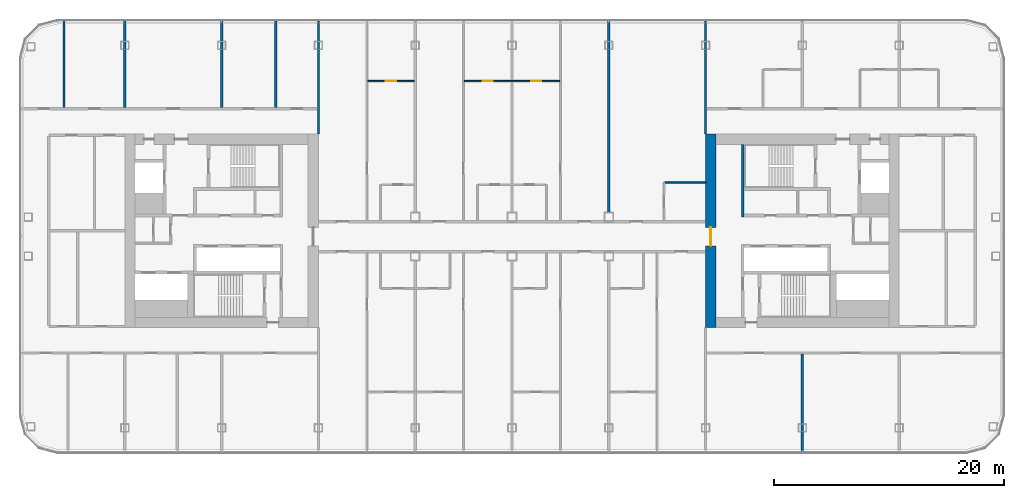
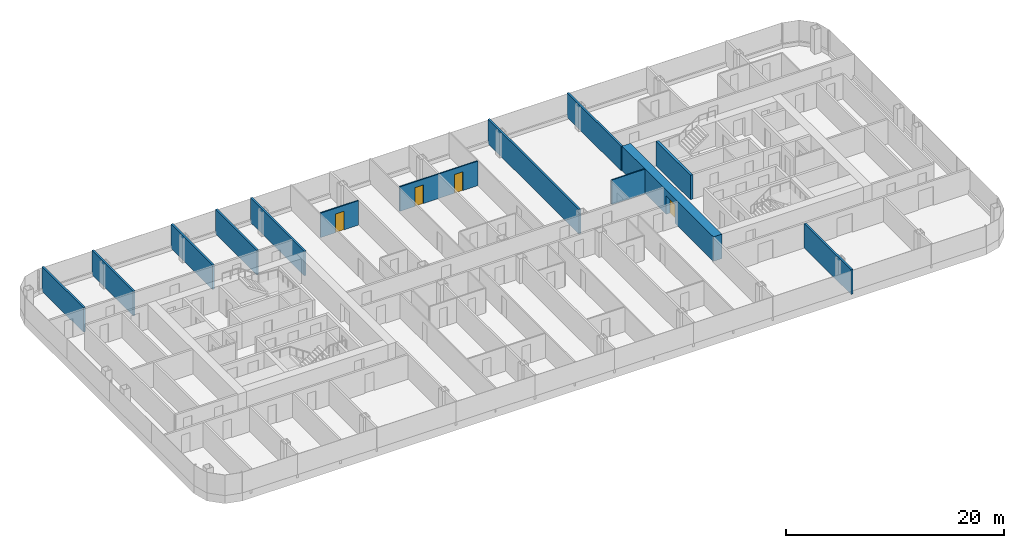
# One storey, part 15 of 26: 13 walls, 4 doors, 4 openings.
"""IFC4 building model written with IfcOpenShell, lengths in metres."""

import ifcopenshell
import ifcopenshell.guid

model = None  # the IFC model being written
_history = None  # IfcOwnerHistory: only IFC2X3 demands one
_inside = {}  # id of a spatial element -> (the spatial element, [elements in it])
_under = {}  # id of a project, library or spatial element -> (it, [spatial elements below it])
_declared = {}  # id of a project -> (the project, [libraries it declares])
_typed = {}  # id of a type object -> (the type object, [elements of that type])
_made_of = {}  # id of a material, layer set ... -> (it, [elements and type objects made of it])


def new_model(schema):
    """Start an empty IFC model of exactly this schema.

    Asked for "IFC4X3", IfcOpenShell would pick the latest addendum, in which some entities
    have other attributes; the version numbers below select the first issue.
    IFC2X3 requires an IfcOwnerHistory on every rooted entity: one is made here for all.
    """
    global model, _history
    if schema == "IFC4X3":
        model = ifcopenshell.file(schema_version=(4, 3, 0, 0))
    else:
        model = ifcopenshell.file(schema=schema)
    _inside.clear()
    _under.clear()
    _declared.clear()
    _typed.clear()
    _made_of.clear()
    _history = None
    if model.schema == "IFC2X3":
        org = make("IfcOrganization", Name="unknown")
        user = make(
            "IfcPersonAndOrganization",
            ThePerson=make("IfcPerson", FamilyName="unknown"),
            TheOrganization=org,
        )
        app = make(
            "IfcApplication",
            ApplicationDeveloper=org,
            Version="unknown",
            ApplicationFullName="unknown",
            ApplicationIdentifier="unknown",
        )
        _history = make(
            "IfcOwnerHistory",
            OwningUser=user,
            OwningApplication=app,
            ChangeAction="ADDED",
            CreationDate=0,
        )
    return model


def make(cls, **values):
    """One entity of the class cls with the attributes given. An attribute that is None is left unset."""
    return model.create_entity(
        cls, **{name: value for name, value in values.items() if value is not None}
    )


def rooted(cls, **values):
    """An entity with a GlobalId (a new one), such as an element, a storey or a relation."""
    return make(cls, GlobalId=ifcopenshell.guid.new(), OwnerHistory=_history, **values)


def si_unit(unit_type, name, prefix=None):
    """IfcSIUnit, for example si_unit("LENGTHUNIT", "METRE", prefix="MILLI")."""
    return make("IfcSIUnit", UnitType=unit_type, Prefix=prefix, Name=name)


def assignment(units):
    """IfcUnitAssignment: the units of a project."""
    return None if units is None else make("IfcUnitAssignment", Units=units)


def point(xyz):
    """IfcCartesianPoint."""
    return None if xyz is None else make("IfcCartesianPoint", Coordinates=xyz)


def direction(xyz):
    """IfcDirection."""
    return None if xyz is None else make("IfcDirection", DirectionRatios=xyz)


def frame(location, z_axis=None, x_axis=None):
    """IfcAxis2Placement3D, a coordinate frame: its origin and axes. An axis left out is left unset."""
    return make(
        "IfcAxis2Placement3D",
        Location=point(location),
        Axis=direction(z_axis),
        RefDirection=direction(x_axis),
    )


def frame_2d(location, x_axis=None):
    """IfcAxis2Placement2D, a coordinate frame in the plane: its origin and x axis."""
    return make(
        "IfcAxis2Placement2D", Location=point(location), RefDirection=direction(x_axis)
    )


def origin():
    """The frame at (0, 0, 0) with its axes left unset."""
    return frame((0.0, 0.0, 0.0))


def place(relative_to, where):
    """IfcLocalPlacement: puts the frame where relative to a parent placement (None: the world)."""
    return make(
        "IfcLocalPlacement", PlacementRelTo=relative_to, RelativePlacement=where
    )


def context(
    kind, dimensions, precision=None, world=None, true_north=None, identifier=None
):
    """IfcGeometricRepresentationContext, for example the 3D "Model" context."""
    return make(
        "IfcGeometricRepresentationContext",
        ContextIdentifier=identifier,
        ContextType=kind,
        CoordinateSpaceDimension=dimensions,
        Precision=precision,
        WorldCoordinateSystem=world,
        TrueNorth=true_north,
    )


def subcontext(parent, identifier, kind, view, scale=None):
    """IfcGeometricRepresentationSubContext, for example "Body" below "Model"."""
    return make(
        "IfcGeometricRepresentationSubContext",
        ContextIdentifier=identifier,
        ContextType=kind,
        ParentContext=parent,
        TargetScale=scale,
        TargetView=view,
    )


def project(units=None, contexts=None):
    """IfcProject with its units and contexts."""
    return rooted(
        "IfcProject",
        Name="project",
        RepresentationContexts=contexts,
        UnitsInContext=assignment(units),
    )


def spatial(cls, under=None, at=None, **own):
    """A site, building, storey or space (cls), placed at a placement, below another one or the project."""
    s = rooted(cls, ObjectPlacement=at, **own)
    if under is not None:
        _under.setdefault(under.id(), (under, []))[1].append(s)
    return s


def profile(cls, at=None, kind="AREA", **sizes):
    """A parametric profile (cls). Its sizes go by their IFC names, for example OverallWidth=200.0."""
    return make(cls, ProfileType=kind, Position=at, **sizes)


def rectangle(**sizes):
    """IfcRectangleProfileDef."""
    return profile("IfcRectangleProfileDef", **sizes)


def extrude(swept, where, along, depth):
    """IfcExtrudedAreaSolid: the profile swept, set in the frame where, extruded along a direction by depth."""
    return make(
        "IfcExtrudedAreaSolid",
        SweptArea=swept,
        Position=where,
        ExtrudedDirection=direction(along),
        Depth=depth,
    )


def shape(context_of_items, identifier, shape_type, items):
    """IfcShapeRepresentation: the items that make up one representation, for example the "Body"."""
    return make(
        "IfcShapeRepresentation",
        ContextOfItems=context_of_items,
        RepresentationIdentifier=identifier,
        RepresentationType=shape_type,
        Items=items,
    )


def material(Name=None, Category=None):
    """IfcMaterial."""
    return make("IfcMaterial", Name=Name, Category=Category)


def layer(
    of_material, thickness, ventilated=None, Name=None, Category=None, Priority=None
):
    """IfcMaterialLayer: one layer of a wall or slab, of a material (None: an air gap)."""
    return make(
        "IfcMaterialLayer",
        Material=of_material,
        LayerThickness=thickness,
        IsVentilated=ventilated,
        Name=Name,
        Category=Category,
        Priority=Priority,
    )


def layer_set(layers, Name=None):
    """IfcMaterialLayerSet."""
    return make("IfcMaterialLayerSet", MaterialLayers=layers, LayerSetName=Name)


def made_of(thing, what):
    """Note that an element or type object is made of a material, layer set ...; save() writes the relation."""
    if what is not None:
        _made_of.setdefault(what.id(), (what, []))[1].append(thing)
    return thing


def type_object(cls, material=None, **own):
    """A type object (cls), such as IfcWallType, which elements share."""
    return made_of(rooted(cls, **own), material)


def element(
    cls,
    number,
    at=None,
    inside=None,
    cuts=None,
    type_object=None,
    material=None,
    context=None,
    identifier="Body",
    shape_type=None,
    held_by="IfcProductDefinitionShape",
    body=None,
    shapes=None,
    **own,
):
    """One element of the class cls, such as IfcWall. Its Tag is "e" and its number.

    at: its placement. inside: the storey or other place that contains it. cuts: it is an
    opening in that element (IfcRelVoidsElement). A single representation is given by context,
    identifier, shape_type and body (its items); several are given by shapes. held_by: the class
    of the entity that holds the representations. save() writes the other relations.
    """
    e = rooted(cls, Tag="e%d" % number, ObjectPlacement=at, **own)
    if body is not None:
        shapes = [shape(context, identifier, shape_type, body)]
    if shapes is not None:
        e.Representation = make(held_by, Representations=shapes)
    if inside is not None:
        _inside.setdefault(inside.id(), (inside, []))[1].append(e)
    if cuts is not None:
        rooted(
            "IfcRelVoidsElement", RelatingBuildingElement=cuts, RelatedOpeningElement=e
        )
    if type_object is not None:
        _typed.setdefault(type_object.id(), (type_object, []))[1].append(e)
    return made_of(e, material)


def fill(opening, filler):
    """IfcRelFillsElement: the door or window that sits in an opening."""
    return rooted(
        "IfcRelFillsElement",
        RelatingOpeningElement=opening,
        RelatedBuildingElement=filler,
    )


def aggregate(whole, parts):
    """IfcRelAggregates: a whole, such as a stair, and the parts it consists of."""
    return rooted("IfcRelAggregates", RelatingObject=whole, RelatedObjects=parts)


def save(model, path):
    """Write the relations noted so far, then the file.

    IfcRelAggregates (storeys below a building ...), IfcRelContainedInSpatialStructure (elements
    in a storey), IfcRelDefinesByType, IfcRelAssociatesMaterial and IfcRelDeclares: one each for
    every whole, place, type object, material and project.
    """
    for whole, parts in _under.values():
        aggregate(whole, parts)
    for where, things in _inside.values():
        rooted(
            "IfcRelContainedInSpatialStructure",
            RelatedElements=things,
            RelatingStructure=where,
        )
    for kind, things in _typed.values():
        rooted("IfcRelDefinesByType", RelatedObjects=things, RelatingType=kind)
    for what, things in _made_of.values():
        rooted("IfcRelAssociatesMaterial", RelatedObjects=things, RelatingMaterial=what)
    for by, libraries in _declared.values():
        rooted("IfcRelDeclares", RelatingContext=by, RelatedDefinitions=libraries)
    model.write(path)


model = new_model("IFC4")

# Units and contexts
model_context = context("Model", 3, precision=1e-05, world=origin(), true_north=direction((0.0, 1.0)))
body_context = subcontext(model_context, "Body", "Model", "MODEL_VIEW")
ifc_project = project(units=[si_unit("LENGTHUNIT", "METRE"), si_unit("AREAUNIT", "SQUARE_METRE"), si_unit("VOLUMEUNIT", "CUBIC_METRE"), si_unit("PLANEANGLEUNIT", "RADIAN"), si_unit("MASSUNIT", "GRAM", prefix="KILO")], contexts=[model_context])

# Site, building, storey
site_placement = place(None, origin())
site = spatial("IfcSite", under=ifc_project, at=site_placement, CompositionType="ELEMENT")
building_placement = place(site_placement, origin())
building = spatial("IfcBuilding", under=site, at=building_placement, Name="Hakoniwa Tower and Hamabe Station Hall", CompositionType="ELEMENT")
storey_placement = place(building_placement, frame((0.0, 0.0, 159.800048828125)))
storey = spatial("IfcBuildingStorey", under=building, at=storey_placement, Name="L45", CompositionType="ELEMENT", Elevation=159.800048828125)

# Wall
ifc_material_1 = material(Name="Gypsum board partition", Category="gypsum")
ifc_layer_1 = layer(ifc_material_1, 0.125)
ifc_layer_set_1 = layer_set([ifc_layer_1], Name="Bathroom Partition 125")
wall_type_1 = type_object("IfcWallType", Name="Bathroom Partition 125", PredefinedType="PARTITIONING", material=ifc_layer_set_1)
wall_1_placement = place(storey_placement, frame((13.262451171875, 4.199951171875, 0.0), z_axis=(0.0, 0.0, 1.0), x_axis=(1.0, 0.0, 0.0)))
element("IfcWall", 1, at=wall_1_placement, inside=storey, type_object=wall_type_1, Name="GW-L45-017", PredefinedType="PARTITIONING", context=body_context, shape_type="SweptSolid", body=[
    extrude(rectangle(XDim=3.547607421875, YDim=0.125, at=frame_2d((1.77392578125, 0.0))), origin(), (0.0, 0.0, 1.0), 2.75),
])

# Wall, opening, door
ifc_material_2 = material(Name="Concrete C66", Category="concrete")
ifc_layer_2 = layer(ifc_material_2, 0.89990234375)
ifc_layer_set_2 = layer_set([ifc_layer_2], Name="CORE WALL 900 C66")
wall_type_2 = type_object("IfcWallType", Name="CORE WALL 900 C66", PredefinedType="SHEAR", material=ifc_layer_set_2)
wall_2_placement = place(storey_placement, frame((17.25, -8.39990234375, 0.0), z_axis=(0.0, 0.0, 1.0), x_axis=(0.0, 1.0, 0.0)))
wall_2 = element("IfcWall", 2, at=wall_2_placement, inside=storey, type_object=wall_type_2, Name="Core wall INNER east", PredefinedType="SHEAR", context=body_context, shape_type="SweptSolid", body=[
    extrude(rectangle(XDim=16.7998046875, YDim=0.89990234375, at=frame_2d((8.39990234375, 0.0))), origin(), (0.0, 0.0, 1.0), 2.75),
])
opening_1_placement = place(wall_2_placement, frame((7.10009765625, 0.0, 0.0)))
opening_1 = element("IfcOpeningElement", 3, at=opening_1_placement, cuts=wall_2, Name="Opening CD-E-IN1-16", PredefinedType="OPENING", context=body_context, shape_type="SweptSolid", body=[
    extrude(rectangle(XDim=1.60009765625, YDim=2.10009765625, at=frame_2d((0.800048828125, 1.050048828125))), frame((0.0, 0.4599609375, 0.0), z_axis=(0.0, -1.0, 0.0), x_axis=(1.0, 0.0, 0.0)), (0.0, 0.0, 1.0), 0.919921875),
])
ifc_material_3 = material(Name="Steel fire door", Category="steel")
door_type_1 = type_object("IfcDoorType", Name="CORE DOOR 1600 FD60", OperationType="DOUBLE_DOOR_SINGLE_SWING", PredefinedType="DOOR", material=ifc_material_3)
door_1_placement = place(opening_1_placement, origin())
door_1 = element("IfcDoor", 4, at=door_1_placement, inside=storey, type_object=door_type_1, Name="Lift lobby door", OperationType="DOUBLE_DOOR_SINGLE_SWING", OverallHeight=2.10009765625, OverallWidth=1.60009765625, PredefinedType="DOOR", context=body_context, shape_type="SweptSolid", body=[
    extrude(rectangle(XDim=1.60009765625, YDim=2.10009765625, at=frame_2d((0.800048828125, 1.050048828125))), frame((0.0, 0.02490234375, 0.0), z_axis=(0.0, -1.0, 0.0), x_axis=(1.0, 0.0, 0.0)), (0.0, 0.0, 1.0), 0.050048828125),
])
fill(opening_1, door_1)

# Walls
ifc_material_4 = material(Name="Concrete C66", Category="concrete")
ifc_layer_3 = layer(ifc_material_4, 0.25)
ifc_layer_set_3 = layer_set([ifc_layer_3], Name="CORE WEB WALL 250 C66")
wall_type_3 = type_object("IfcWallType", Name="CORE WEB WALL 250 C66", PredefinedType="SHEAR", material=ifc_layer_set_3)
wall_3_placement = place(storey_placement, frame((20.02490234375, 1.199951171875, 0.0), z_axis=(0.0, 0.0, 1.0), x_axis=(0.0, 1.0, 0.0)))
element("IfcWall", 5, at=wall_3_placement, inside=storey, type_object=wall_type_3, Name="Core wall W1N east", PredefinedType="SHEAR", context=body_context, shape_type="SweptSolid", body=[
    extrude(rectangle(XDim=6.300048828125, YDim=0.25, at=frame_2d((3.14990234375, 0.0))), origin(), (0.0, 0.0, 1.0), 2.75),
])
ifc_material_5 = material(Name="Fire-rated gypsum board partition", Category="gypsum")
ifc_layer_4 = layer(ifc_material_5, 0.199951171875)
ifc_layer_set_4 = layer_set([ifc_layer_4], Name="Party Wall 200")
wall_type_4 = type_object("IfcWallType", Name="Party Wall 200", PredefinedType="PARTITIONING", material=ifc_layer_set_4)
for number, where, z_axis, x_axis, name in (
    (6, (-38.8798828125, 10.699951171875, 0.0), (0.0, 0.0, 1.0), (0.0, 1.0, 0.0), "GW-L45-027"),
    (7, (-33.60009765625, 10.699951171875, 0.0), (0.0, 0.0, 1.0), (0.0, 1.0, 0.0), "GW-L45-032"),
    (8, (-25.199951171875, 10.699951171875, 0.0), (0.0, 0.0, 1.0), (0.0, 1.0, 0.0), "GW-L45-035"),
    (9, (-20.5, 10.699951171875, 0.0), (0.0, 0.0, 1.0), (0.0, 1.0, 0.0), "GW-L45-036"),
):
    element("IfcWall", number, at=place(storey_placement, frame(where, z_axis=z_axis, x_axis=x_axis)), inside=storey, type_object=wall_type_4, Name=name, PredefinedType="PARTITIONING", context=body_context, shape_type="SweptSolid", body=[
        extrude(rectangle(XDim=7.60009765625, YDim=0.199951171875, at=frame_2d((3.800048828125, 0.0))), origin(), (0.0, 0.0, 1.0), 2.75),
    ])
wall_4_placement = place(storey_placement, frame((-16.800048828125, 8.389892578125, 0.0), z_axis=(0.0, 0.0, 1.0), x_axis=(0.0, 1.0, 0.0)))
element("IfcWall", 10, at=wall_4_placement, inside=storey, type_object=wall_type_4, Name="GW-L45-038", PredefinedType="PARTITIONING", context=body_context, shape_type="SweptSolid", body=[
    extrude(rectangle(XDim=9.91015625, YDim=0.199951171875, at=frame_2d((4.955078125, 0.0))), origin(), (0.0, 0.0, 1.0), 2.75),
])
wall_5_placement = place(storey_placement, frame((8.39990234375, 1.590087890625, 0.0), z_axis=(0.0, 0.0, 1.0), x_axis=(0.0, 1.0, 0.0)))
element("IfcWall", 11, at=wall_5_placement, inside=storey, type_object=wall_type_4, Name="GW-L45-056", PredefinedType="PARTITIONING", context=body_context, shape_type="SweptSolid", body=[
    extrude(rectangle(XDim=16.7099609375, YDim=0.199951171875, at=frame_2d((8.35498046875, 0.0))), origin(), (0.0, 0.0, 1.0), 2.75),
])
wall_6_placement = place(storey_placement, frame((16.800048828125, 8.389892578125, 0.0), z_axis=(0.0, 0.0, 1.0), x_axis=(0.0, 1.0, 0.0)))
element("IfcWall", 12, at=wall_6_placement, inside=storey, type_object=wall_type_4, Name="GW-L45-061", PredefinedType="PARTITIONING", context=body_context, shape_type="SweptSolid", body=[
    extrude(rectangle(XDim=9.91015625, YDim=0.199951171875, at=frame_2d((4.955078125, 0.0))), origin(), (0.0, 0.0, 1.0), 2.75),
])
wall_7_placement = place(storey_placement, frame((25.199951171875, -19.300048828125, 0.0), z_axis=(0.0, 0.0, 1.0), x_axis=(0.0, 1.0, 0.0)))
element("IfcWall", 13, at=wall_7_placement, inside=storey, type_object=wall_type_4, Name="GW-L45-063", PredefinedType="PARTITIONING", context=body_context, shape_type="SweptSolid", body=[
    extrude(rectangle(XDim=8.60009765625, YDim=0.199951171875, at=frame_2d((4.300048828125, 0.0))), origin(), (0.0, 0.0, 1.0), 2.75),
])

# Wall, opening, door
ifc_material_6 = material(Name="Gypsum board partition", Category="gypsum")
ifc_layer_5 = layer(ifc_material_6, 0.125)
ifc_layer_set_5 = layer_set([ifc_layer_5], Name="Room Partition 125")
wall_type_5 = type_object("IfcWallType", Name="Room Partition 125", PredefinedType="PARTITIONING", material=ifc_layer_set_5)
wall_8_placement = place(storey_placement, frame((-12.53759765625, 13.0, 0.0), z_axis=(0.0, 0.0, 1.0), x_axis=(1.0, 0.0, 0.0)))
wall_8 = element("IfcWall", 14, at=wall_8_placement, inside=storey, type_object=wall_type_5, Name="GW-L45-022", PredefinedType="PARTITIONING", context=body_context, shape_type="SweptSolid", body=[
    extrude(rectangle(XDim=4.03759765625, YDim=0.125, at=frame_2d((2.018798828125, 0.0))), origin(), (0.0, 0.0, 1.0), 2.75),
])
opening_2_placement = place(wall_8_placement, frame((1.58740234375, 0.0, 0.0)))
opening_2 = element("IfcOpeningElement", 15, at=opening_2_placement, cuts=wall_8, Name="Opening GD-G3E1-44", PredefinedType="OPENING", context=body_context, shape_type="SweptSolid", body=[
    extrude(rectangle(XDim=0.89990234375, YDim=2.10009765625, at=frame_2d((0.449951171875, 1.050048828125))), frame((0.0, 0.072509765625, 0.0), z_axis=(0.0, -1.0, 0.0), x_axis=(1.0, 0.0, 0.0)), (0.0, 0.0, 1.0), 0.14501953125),
])
ifc_material_7 = material(Name="Timber door leaf", Category="wood")
door_type_2 = type_object("IfcDoorType", Name="Suite Interior Door 900", OperationType="SINGLE_SWING_LEFT", PredefinedType="DOOR", material=ifc_material_7)
door_2_placement = place(opening_2_placement, origin())
door_2 = element("IfcDoor", 16, at=door_2_placement, inside=storey, type_object=door_type_2, Name="Door GD-G3E1-44", OperationType="SINGLE_SWING_RIGHT", OverallHeight=2.10009765625, OverallWidth=0.89990234375, PredefinedType="DOOR", context=body_context, shape_type="SweptSolid", body=[
    extrude(rectangle(XDim=0.89990234375, YDim=2.10009765625, at=frame_2d((0.449951171875, 1.050048828125))), frame((0.0, 0.02490234375, 0.0), z_axis=(0.0, -1.0, 0.0), x_axis=(1.0, 0.0, 0.0)), (0.0, 0.0, 1.0), 0.050048828125),
])
fill(opening_2, door_2)

# Wall, openings, doors
wall_9_placement = place(storey_placement, frame((-4.137451171875, 13.0, 0.0), z_axis=(0.0, 0.0, 1.0), x_axis=(1.0, 0.0, 0.0)))
wall_9 = element("IfcWall", 17, at=wall_9_placement, inside=storey, type_object=wall_type_5, Name="GW-L45-023", PredefinedType="PARTITIONING", context=body_context, shape_type="SweptSolid", body=[
    extrude(rectangle(XDim=8.27490234375, YDim=0.125, at=frame_2d((4.137451171875, 0.0))), origin(), (0.0, 0.0, 1.0), 2.75),
])
opening_3_placement = place(wall_9_placement, frame((1.58740234375, 0.0, 0.0)))
opening_3 = element("IfcOpeningElement", 18, at=opening_3_placement, cuts=wall_9, Name="Opening GD-G3E1-45", PredefinedType="OPENING", context=body_context, shape_type="SweptSolid", body=[
    extrude(rectangle(XDim=0.89990234375, YDim=2.10009765625, at=frame_2d((0.449951171875, 1.050048828125))), frame((0.0, 0.072509765625, 0.0), z_axis=(0.0, -1.0, 0.0), x_axis=(1.0, 0.0, 0.0)), (0.0, 0.0, 1.0), 0.14501953125),
])
opening_4_placement = place(wall_9_placement, frame((5.78759765625, 0.0, 0.0)))
opening_4 = element("IfcOpeningElement", 19, at=opening_4_placement, cuts=wall_9, Name="Opening GD-G3E1-46", PredefinedType="OPENING", context=body_context, shape_type="SweptSolid", body=[
    extrude(rectangle(XDim=0.89990234375, YDim=2.10009765625, at=frame_2d((0.449951171875, 1.050048828125))), frame((0.0, 0.072509765625, 0.0), z_axis=(0.0, -1.0, 0.0), x_axis=(1.0, 0.0, 0.0)), (0.0, 0.0, 1.0), 0.14501953125),
])
door_3_placement = place(opening_3_placement, origin())
door_3 = element("IfcDoor", 20, at=door_3_placement, inside=storey, type_object=door_type_2, Name="Door GD-G3E1-45", OperationType="SINGLE_SWING_LEFT", OverallHeight=2.10009765625, OverallWidth=0.89990234375, PredefinedType="DOOR", context=body_context, shape_type="SweptSolid", body=[
    extrude(rectangle(XDim=0.89990234375, YDim=2.10009765625, at=frame_2d((0.449951171875, 1.050048828125))), frame((0.0, 0.02490234375, 0.0), z_axis=(0.0, -1.0, 0.0), x_axis=(1.0, 0.0, 0.0)), (0.0, 0.0, 1.0), 0.050048828125),
])
fill(opening_3, door_3)
door_4_placement = place(opening_4_placement, origin())
door_4 = element("IfcDoor", 21, at=door_4_placement, inside=storey, type_object=door_type_2, Name="Door GD-G3E1-46", OperationType="SINGLE_SWING_RIGHT", OverallHeight=2.10009765625, OverallWidth=0.89990234375, PredefinedType="DOOR", context=body_context, shape_type="SweptSolid", body=[
    extrude(rectangle(XDim=0.89990234375, YDim=2.10009765625, at=frame_2d((0.449951171875, 1.050048828125))), frame((0.0, 0.02490234375, 0.0), z_axis=(0.0, -1.0, 0.0), x_axis=(1.0, 0.0, 0.0)), (0.0, 0.0, 1.0), 0.050048828125),
])
fill(opening_4, door_4)

save(model, "model.ifc")
